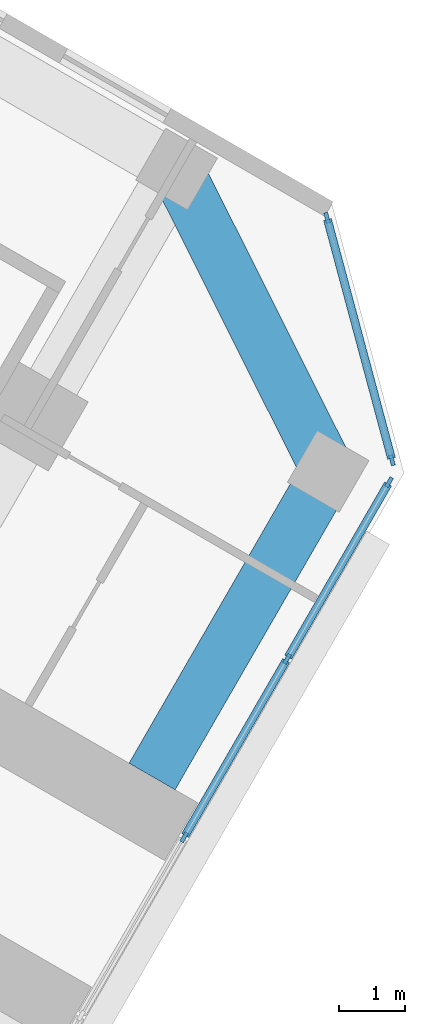
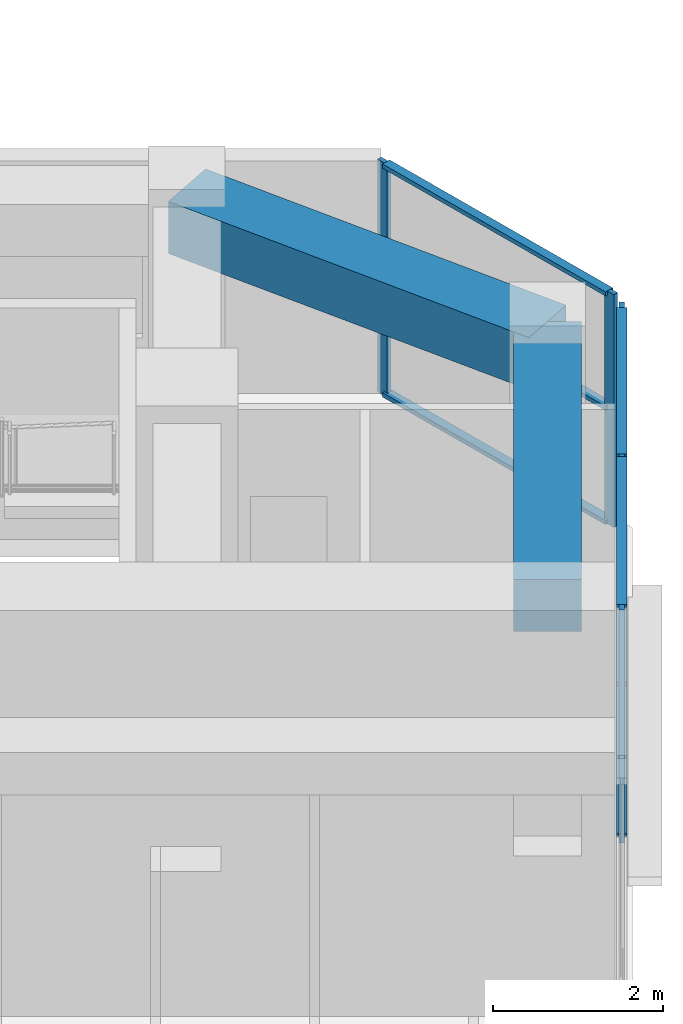
# One storey, part 8 of 21: 12 members, 2 beams, 2 elements without a shape of their own.
"""IFC4 building model written with IfcOpenShell, lengths in metres."""

from ifc_helpers import new_model, si_unit, direction, frame, origin, origin_2d, place, context, subcontext, project, spatial, rectangle, extrude, material, material_profile, profile_set, type_object, element, aggregate, save


model = new_model("IFC4")

# Units and contexts
model_context = context("Model", 3, precision=1e-05, world=origin(), true_north=direction((0.0, 1.0)))
body_context = subcontext(model_context, "Body", "Model", "MODEL_VIEW")
ifc_project = project(units=[si_unit("LENGTHUNIT", "METRE"), si_unit("AREAUNIT", "SQUARE_METRE"), si_unit("VOLUMEUNIT", "CUBIC_METRE"), si_unit("PLANEANGLEUNIT", "RADIAN"), si_unit("MASSUNIT", "GRAM", prefix="KILO")], contexts=[model_context])

# Site, building, storey
site_placement = place(None, origin())
site = spatial("IfcSite", under=ifc_project, at=site_placement, CompositionType="ELEMENT")
building_placement = place(site_placement, origin())
building = spatial("IfcBuilding", under=site, at=building_placement, Name="Kosmar Iwan School Tower", CompositionType="ELEMENT")
storey_placement = place(building_placement, frame((0.0, 0.0, 80.800048828125)))
storey = spatial("IfcBuildingStorey", under=building, at=storey_placement, Name="L19", CompositionType="ELEMENT", Elevation=80.800048828125)

# Curtain wall, members
ifc_material_1 = material(Name="Dark glass in black aluminium frame", Category="aluminium")
curtain_wall_type_1 = type_object("IfcCurtainWallType", Name="Tower curtain wall dark glass", PredefinedType="USERDEFINED", material=ifc_material_1)
curtain_wall_1_placement = place(storey_placement, origin())
curtain_wall_1 = element("IfcCurtainWall", 1, at=curtain_wall_1_placement, inside=storey, type_object=curtain_wall_type_1, Name="Curtain wall L19-F03", ObjectType="UNITISED CURTAIN WALL", PredefinedType="USERDEFINED")
ifc_material_2 = material(Name="Black anodised aluminium", Category="aluminium")
ifc_material_profile_1 = material_profile(ifc_material_2, rectangle(XDim=0.06005859375, YDim=0.159912109375, at=origin_2d()), Name="MULLION 60x160")
ifc_profile_set_1 = profile_set([ifc_material_profile_1], Name="Black anodised aluminium")
member_type_1 = type_object("IfcMemberType", Name="Mullion 60x160", PredefinedType="MULLION", material=ifc_profile_set_1)
member_1_placement = place(storey_placement, frame((30.631103515625, -15.8955078125, 0.0), z_axis=(0.0, 0.0, 1.0), x_axis=(-0.866025405329, 0.499999997325, 0.0)))
member_1 = element("IfcMember", 2, at=member_1_placement, type_object=member_type_1, Name="CW1 mullion 4", PredefinedType="MULLION", context=body_context, shape_type="SweptSolid", body=[
    extrude(rectangle(XDim=0.06005859375, YDim=0.159912109375, at=origin_2d()), origin(), (0.0, 0.0, 1.0), 3.349853515625),
])
member_2_placement = place(storey_placement, frame((32.1806640625, -13.21142578125, 0.0), z_axis=(0.0, 0.0, 1.0), x_axis=(-0.866025405329, 0.499999997325, 0.0)))
member_2 = element("IfcMember", 3, at=member_2_placement, type_object=member_type_1, Name="CW1 mullion 5", PredefinedType="MULLION", context=body_context, shape_type="SweptSolid", body=[
    extrude(rectangle(XDim=0.06005859375, YDim=0.159912109375, at=origin_2d()), origin(), (0.0, 0.0, 1.0), 3.349853515625),
])
member_3_placement = place(storey_placement, frame((33.71533203125, -10.55322265625, 0.0), z_axis=(0.0, 0.0, 1.0), x_axis=(-0.866025405329, 0.499999997325, 0.0)))
member_3 = element("IfcMember", 4, at=member_3_placement, type_object=member_type_1, Name="CW1 mullion 6", PredefinedType="MULLION", context=body_context, shape_type="SweptSolid", body=[
    extrude(rectangle(XDim=0.06005859375, YDim=0.159912109375, at=origin_2d()), origin(), (0.0, 0.0, 1.0), 3.349853515625),
])

ifc_material_3 = material(Name="Dark glass in black aluminium frame", Category="aluminium")
curtain_wall_type_2 = type_object("IfcCurtainWallType", Name="Chamfer curtain wall dark glass", PredefinedType="USERDEFINED", material=ifc_material_3)
curtain_wall_2_placement = place(storey_placement, origin())
curtain_wall_2 = element("IfcCurtainWall", 5, at=curtain_wall_2_placement, inside=storey, type_object=curtain_wall_type_2, Name="Curtain wall L19-F04", ObjectType="FACETED CURTAIN WALL", PredefinedType="USERDEFINED")
member_4_placement = place(storey_placement, frame((33.7587890625, -10.2236328125, 0.0), z_axis=(0.0, 0.0, 1.0), x_axis=(-0.965925875495, -0.258818861462, 0.0)))
member_4 = element("IfcMember", 6, at=member_4_placement, type_object=member_type_1, Name="CW2 mullion 1", PredefinedType="MULLION", context=body_context, shape_type="SweptSolid", body=[
    extrude(rectangle(XDim=0.06005859375, YDim=0.159912109375, at=origin_2d()), origin(), (0.0, 0.0, 1.0), 3.349853515625),
])
member_5_placement = place(storey_placement, frame((32.78076171875, -6.5732421875, 0.0), z_axis=(0.0, 0.0, 1.0), x_axis=(-0.965925875495, -0.258818861462, 0.0)))
member_5 = element("IfcMember", 7, at=member_5_placement, type_object=member_type_1, Name="CW2 mullion 2", PredefinedType="MULLION", context=body_context, shape_type="SweptSolid", body=[
    extrude(rectangle(XDim=0.06005859375, YDim=0.159912109375, at=origin_2d()), origin(), (0.0, 0.0, 1.0), 3.349853515625),
])

# Beams
ifc_material_4 = material(Name="Concrete C50/60", Category="concrete")
ifc_material_profile_2 = material_profile(ifc_material_4, rectangle(XDim=0.800048828125, YDim=0.75, at=origin_2d()), Name="RC 800x750")
ifc_profile_set_2 = profile_set([ifc_material_profile_2], Name="Concrete C50/60")
beam_type = type_object("IfcBeamType", Name="RC tip beam 800x750", PredefinedType="BEAM", material=ifc_profile_set_2)
beam_1_placement = place(storey_placement, frame((30.517822265625, -5.841552734375, 2.974853515625), z_axis=(0.44809604203, -0.893985423325, 0.0), x_axis=(0.893985423325, 0.44809604203, 0.0)))
element("IfcBeam", 8, at=beam_1_placement, inside=storey, type_object=beam_type, Name="Tip beam CL", PredefinedType="BEAM", context=body_context, shape_type="SweptSolid", body=[
    extrude(rectangle(XDim=0.800048828125, YDim=0.75, at=origin_2d()), origin(), (0.0, 0.0, 1.0), 5.08935546875),
])
beam_2_placement = place(storey_placement, frame((32.79833984375, -10.391357421875, 2.974853515625), z_axis=(-0.499973660256, -0.866040610509, 0.0), x_axis=(0.866040610509, -0.499973660256, 0.0)))
element("IfcBeam", 9, at=beam_2_placement, inside=storey, type_object=beam_type, Name="Tip beam CL to corridor wall", PredefinedType="BEAM", context=body_context, shape_type="SweptSolid", body=[
    extrude(rectangle(XDim=0.800048828125, YDim=0.75, at=origin_2d()), origin(), (0.0, 0.0, 1.0), 5.300048828125),
])

# Member
ifc_material_5 = material(Name="Black anodised aluminium", Category="aluminium")
ifc_material_profile_3 = material_profile(ifc_material_5, rectangle(XDim=0.1201171875, YDim=0.06005859375, at=origin_2d()), Name="TRANSOM 60x120")
ifc_profile_set_3 = profile_set([ifc_material_profile_3], Name="Black anodised aluminium")
member_type_2 = type_object("IfcMemberType", Name="Transom 60x120", PredefinedType="USERDEFINED", material=ifc_profile_set_3)
member_6_placement = place(storey_placement, frame((30.64599609375, -15.869384765625, 0.030029296875), z_axis=(0.500035348339, 0.866004994449, 0.0), x_axis=(-0.866004994449, 0.500035348339, 0.0)))
member_6 = element("IfcMember", 10, at=member_6_placement, type_object=member_type_2, Name="CW1 transom 4.1", ObjectType="TRANSOM", PredefinedType="USERDEFINED", context=body_context, shape_type="SweptSolid", body=[
    extrude(rectangle(XDim=0.1201171875, YDim=0.06005859375, at=origin_2d()), origin(), (0.0, 0.0, 1.0), 3.039306640625),
])

member_7_placement = place(storey_placement, frame((30.64599609375, -15.869384765625, 3.320068359375), z_axis=(0.500035348339, 0.866004994449, 0.0), x_axis=(-0.866004994449, 0.500035348339, 0.0)))
member_7 = element("IfcMember", 11, at=member_7_placement, type_object=member_type_2, Name="CW1 transom 4.2", ObjectType="TRANSOM", PredefinedType="USERDEFINED", context=body_context, shape_type="SweptSolid", body=[
    extrude(rectangle(XDim=0.1201171875, YDim=0.06005859375, at=origin_2d()), origin(), (0.0, 0.0, 1.0), 3.039306640625),
])

member_8_placement = place(storey_placement, frame((32.19580078125, -13.185302734375, 0.030029296875), z_axis=(0.500022102064, 0.866012642776, 0.0), x_axis=(-0.866012642776, 0.500022102064, 0.0)))
member_8 = element("IfcMember", 12, at=member_8_placement, type_object=member_type_2, Name="CW1 transom 5.1", ObjectType="TRANSOM", PredefinedType="USERDEFINED", context=body_context, shape_type="SweptSolid", body=[
    extrude(rectangle(XDim=0.1201171875, YDim=0.06005859375, at=origin_2d()), origin(), (0.0, 0.0, 1.0), 3.009033203125),
])

member_9_placement = place(storey_placement, frame((32.19580078125, -13.185302734375, 3.320068359375), z_axis=(0.500022102064, 0.866012642776, 0.0), x_axis=(-0.866012642776, 0.500022102064, 0.0)))
member_9 = element("IfcMember", 13, at=member_9_placement, type_object=member_type_2, Name="CW1 transom 5.2", ObjectType="TRANSOM", PredefinedType="USERDEFINED", context=body_context, shape_type="SweptSolid", body=[
    extrude(rectangle(XDim=0.1201171875, YDim=0.06005859375, at=origin_2d()), origin(), (0.0, 0.0, 1.0), 3.009033203125),
])

aggregate(curtain_wall_1, [member_1, member_2, member_3, member_6, member_7, member_8, member_9])

member_10_placement = place(storey_placement, frame((33.7509765625, -10.194580078125, 0.030029296875), z_axis=(-0.258843273983, 0.965919333854, 0.0), x_axis=(-0.965919333854, -0.258843273983, 0.0)))
member_10 = element("IfcMember", 14, at=member_10_placement, type_object=member_type_2, Name="CW2 transom 1.1", ObjectType="TRANSOM", PredefinedType="USERDEFINED", context=body_context, shape_type="SweptSolid", body=[
    extrude(rectangle(XDim=0.1201171875, YDim=0.06005859375, at=origin_2d()), origin(), (0.0, 0.0, 1.0), 3.718994140625),
])

member_11_placement = place(storey_placement, frame((33.7509765625, -10.194580078125, 1.675048828125), z_axis=(-0.258843273983, 0.965919333854, 0.0), x_axis=(-0.965919333854, -0.258843273983, 0.0)))
member_11 = element("IfcMember", 15, at=member_11_placement, type_object=member_type_2, Name="CW2 transom 1.2", ObjectType="TRANSOM", PredefinedType="USERDEFINED", context=body_context, shape_type="SweptSolid", body=[
    extrude(rectangle(XDim=0.1201171875, YDim=0.06005859375, at=origin_2d()), origin(), (0.0, 0.0, 1.0), 3.718994140625),
])

member_12_placement = place(storey_placement, frame((33.7509765625, -10.194580078125, 3.320068359375), z_axis=(-0.258843273983, 0.965919333854, 0.0), x_axis=(-0.965919333854, -0.258843273983, 0.0)))
member_12 = element("IfcMember", 16, at=member_12_placement, type_object=member_type_2, Name="CW2 transom 1.3", ObjectType="TRANSOM", PredefinedType="USERDEFINED", context=body_context, shape_type="SweptSolid", body=[
    extrude(rectangle(XDim=0.1201171875, YDim=0.06005859375, at=origin_2d()), origin(), (0.0, 0.0, 1.0), 3.718994140625),
])

aggregate(curtain_wall_2, [member_4, member_5, member_10, member_11, member_12])

save(model, "model.ifc")
